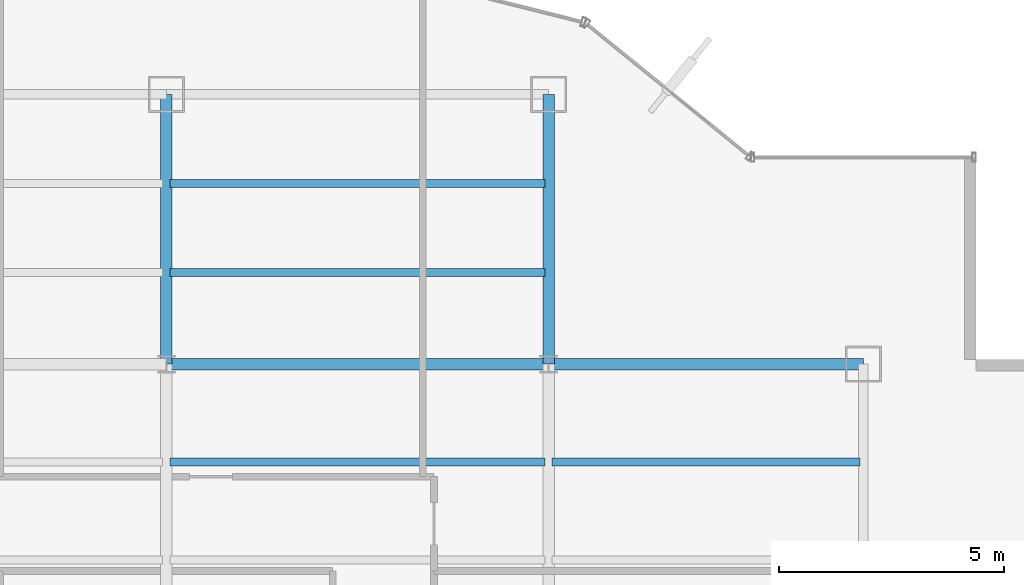
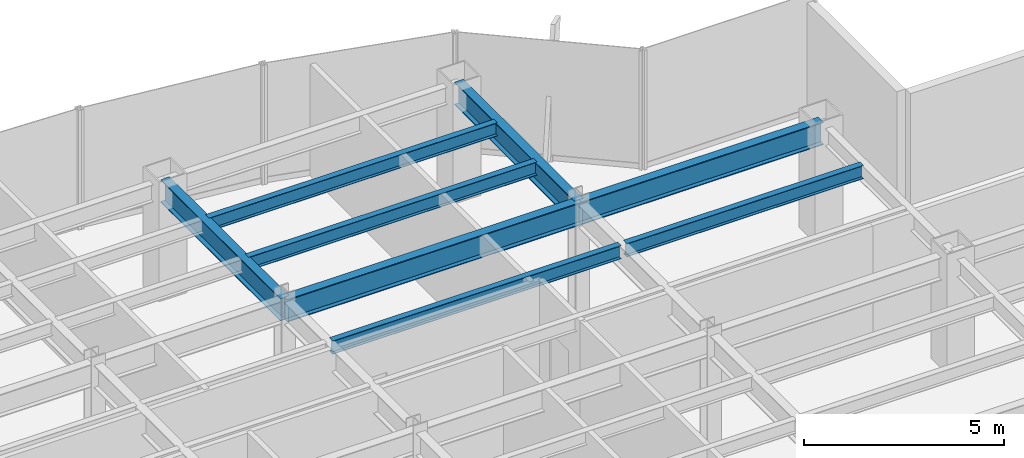
# One storey, part 17 of 26: 8 beams.
"""IFC4 building model written with IfcOpenShell, lengths in metres."""

from ifc_helpers import new_model, si_unit, derived_unit, direction, frame, origin, origin_2d, place, context, subcontext, project, spatial, i_section, extrude, source, transform, mapped, material, material_profile, profile_set, type_object, element, save


model = new_model("IFC4")

# Units and contexts
model_context = context("Model", 3, precision=1e-05, world=origin(), true_north=direction((0.0, 1.0)))
body_context = subcontext(model_context, "Body", "Model", "MODEL_VIEW")
ifc_project = project(units=[si_unit("LENGTHUNIT", "METRE"), si_unit("AREAUNIT", "SQUARE_METRE"), si_unit("VOLUMEUNIT", "CUBIC_METRE"), si_unit("PLANEANGLEUNIT", "RADIAN"), si_unit("MASSUNIT", "GRAM", prefix="KILO"), derived_unit("THERMALTRANSMITTANCEUNIT", [(si_unit("POWERUNIT", "WATT"), 1), (si_unit("LENGTHUNIT", "METRE"), -2), (si_unit("THERMODYNAMICTEMPERATUREUNIT", "KELVIN"), -1)])], contexts=[model_context])

# Site, building, storey
site_placement = place(None, origin())
site = spatial("IfcSite", under=ifc_project, at=site_placement, CompositionType="ELEMENT")
building_placement = place(site_placement, origin())
building = spatial("IfcBuilding", under=site, at=building_placement, Name="Skarnbrae Concourse Arena and Tower", CompositionType="ELEMENT")
storey_placement = place(building_placement, frame((0.0, 0.0, 103.25)))
storey = spatial("IfcBuildingStorey", under=building, at=storey_placement, Name="L25", CompositionType="ELEMENT", Elevation=103.25)

# Beams
ifc_material = material(Name="Steel CSA G40.21 350W", Category="steel")
ifc_material_profile_1 = material_profile(ifc_material, i_section(OverallWidth=0.256103515625, OverallDepth=0.693115234375, WebThickness=0.014404296875, FlangeThickness=0.023681640625, at=origin_2d()), Name="W690X170")
ifc_profile_set_1 = profile_set([ifc_material_profile_1], Name="Steel CSA G40.21 350W")
beam_type_1 = type_object("IfcBeamType", Name="BM-GIRD-W690X170", PredefinedType="BEAM", material=ifc_profile_set_1)
shared_shape_1 = source(origin(), body_context, "Body", "SweptSolid", [
    extrude(i_section(OverallWidth=0.256103515625, OverallDepth=0.693115234375, WebThickness=0.014404296875, FlangeThickness=0.023681640625, at=origin_2d()), origin(), (0.0, 0.0, 1.0), 7.0),
])
beam_1_placement = place(storey_placement, frame((42.0, 34.39990234375, 3.053466796875), z_axis=(1.0, 0.0, 0.0), x_axis=(0.0, 1.0, 0.0)))
element("IfcBeam", 1, at=beam_1_placement, inside=storey, type_object=beam_type_1, Name="L25 Primary E-W girder Y34.4-6", PredefinedType="BEAM", context=body_context, shape_type="MappedRepresentation", body=[
    mapped(shared_shape_1, transform((0.0, 0.0, 0.0))),
])
shared_shape_2 = source(origin(), body_context, "Body", "SweptSolid", [
    extrude(i_section(OverallWidth=0.256103515625, OverallDepth=0.693115234375, WebThickness=0.014404296875, FlangeThickness=0.023681640625, at=origin_2d()), origin(), (0.0, 0.0, 1.0), 8.5),
])
beam_2_placement = place(storey_placement, frame((33.5, 34.39990234375, 3.053466796875), z_axis=(1.0, 0.0, 0.0), x_axis=(0.0, 1.0, 0.0)))
element("IfcBeam", 2, at=beam_2_placement, inside=storey, type_object=beam_type_1, Name="L25 Primary E-W girder Y34.4-5", PredefinedType="BEAM", context=body_context, shape_type="MappedRepresentation", body=[
    mapped(shared_shape_2, transform((0.0, 0.0, 0.0))),
])
shared_shape_3 = source(origin(), body_context, "Body", "SweptSolid", [
    extrude(i_section(OverallWidth=0.256103515625, OverallDepth=0.693115234375, WebThickness=0.014404296875, FlangeThickness=0.023681640625, at=origin_2d()), origin(), (0.0, 0.0, 1.0), 6.0),
])
for number, where, z_axis, x_axis, name in (
    (3, (33.5, 34.39990234375, 3.053466796875), (0.0, 1.0, 0.0), (-1.0, 0.0, 0.0), "L25 Primary N-S girder X33.5-4"),
    (4, (42.0, 34.39990234375, 3.053466796875), (0.0, 1.0, 0.0), (-1.0, 0.0, 0.0), "L25 Primary N-S girder X42.0-5"),
):
    element("IfcBeam", number, at=place(storey_placement, frame(where, z_axis=z_axis, x_axis=x_axis)), inside=storey, type_object=beam_type_1, Name=name, PredefinedType="BEAM", context=body_context, shape_type="MappedRepresentation", body=[
        mapped(shared_shape_3, transform((0.0, 0.0, 0.0))),
    ])
ifc_material_profile_2 = material_profile(ifc_material, i_section(OverallWidth=0.177978515625, OverallDepth=0.406982421875, WebThickness=0.0078125, FlangeThickness=0.0126953125, at=origin_2d()), Name="W410X60")
ifc_profile_set_2 = profile_set([ifc_material_profile_2], Name="Steel CSA G40.21 350W")
beam_type_2 = type_object("IfcBeamType", Name="BM-JOIST-W410X60", PredefinedType="JOIST", material=ifc_profile_set_2)
shared_shape_4 = source(origin(), body_context, "Body", "SweptSolid", [
    extrude(i_section(OverallWidth=0.177978515625, OverallDepth=0.406982421875, WebThickness=0.0078125, FlangeThickness=0.0126953125, at=origin_2d()), origin(), (0.0, 0.0, 1.0), 8.33984375),
])
for number, where, z_axis, x_axis, name in (
    (5, (33.580078125, 32.221923828125, 3.196533203125), (1.0, 0.0, 0.0), (0.0, 1.0, 0.0), "L25 Secondary floor joist 3.2.5"),
    (6, (33.580078125, 36.43994140625, 3.196533203125), (1.0, 0.0, 0.0), (0.0, 1.0, 0.0), "L25 Secondary floor joist 4.1.4"),
    (7, (33.580078125, 38.419921875, 3.196533203125), (1.0, 0.0, 0.0), (0.0, 1.0, 0.0), "L25 Secondary floor joist 4.2.4"),
):
    element("IfcBeam", number, at=place(storey_placement, frame(where, z_axis=z_axis, x_axis=x_axis)), inside=storey, type_object=beam_type_2, Name=name, PredefinedType="JOIST", context=body_context, shape_type="MappedRepresentation", body=[
        mapped(shared_shape_4, transform((0.0, 0.0, 0.0))),
    ])
shared_shape_5 = source(origin(), body_context, "Body", "SweptSolid", [
    extrude(i_section(OverallWidth=0.177978515625, OverallDepth=0.406982421875, WebThickness=0.0078125, FlangeThickness=0.0126953125, at=origin_2d()), origin(), (0.0, 0.0, 1.0), 6.83984375),
])
beam_3_placement = place(storey_placement, frame((42.080078125, 32.221923828125, 3.196533203125), z_axis=(1.0, 0.0, 0.0), x_axis=(0.0, 1.0, 0.0)))
element("IfcBeam", 8, at=beam_3_placement, inside=storey, type_object=beam_type_2, Name="L25 Secondary floor joist 3.2.6", PredefinedType="JOIST", context=body_context, shape_type="MappedRepresentation", body=[
    mapped(shared_shape_5, transform((0.0, 0.0, 0.0))),
])

save(model, "model.ifc")
